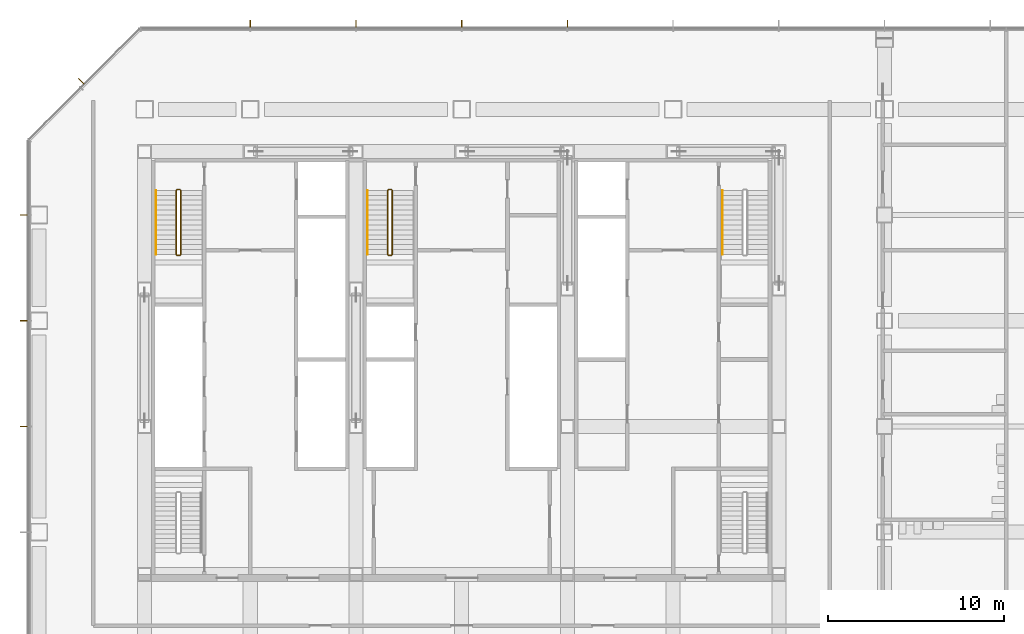
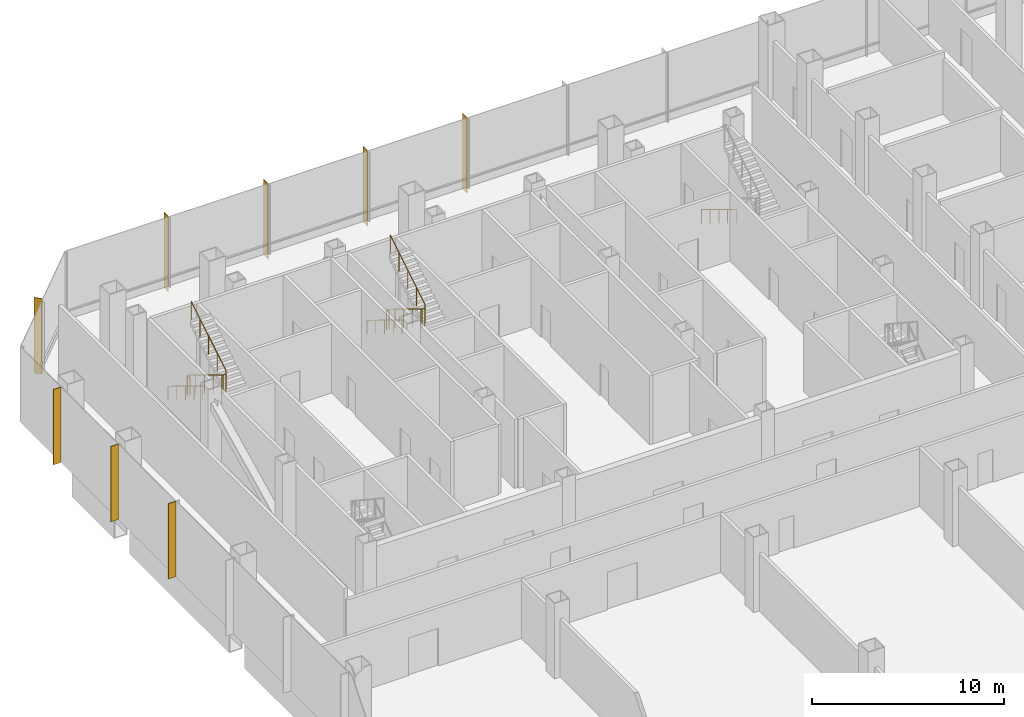
# One storey, part 30 of 34: 8 shading devices, 5 railings.
"""IFC4 building model written with IfcOpenShell, lengths in metres."""

from ifc_helpers import new_model, si_unit, direction, frame, origin, origin_2d, place, context, subcontext, project, spatial, rectangle, circle, extrude, material, material_profile, profile_set, type_object, element, save


model = new_model("IFC4")

# Units and contexts
model_context = context("Model", 3, precision=1e-05, world=origin(), true_north=direction((0.0, 1.0)))
body_context = subcontext(model_context, "Body", "Model", "MODEL_VIEW")
ifc_project = project(units=[si_unit("LENGTHUNIT", "METRE"), si_unit("AREAUNIT", "SQUARE_METRE"), si_unit("VOLUMEUNIT", "CUBIC_METRE"), si_unit("PLANEANGLEUNIT", "RADIAN"), si_unit("MASSUNIT", "GRAM", prefix="KILO")], contexts=[model_context])

# Site, building, storey
site_placement = place(None, origin())
site = spatial("IfcSite", under=ifc_project, at=site_placement, CompositionType="ELEMENT")
building_placement = place(site_placement, origin())
building = spatial("IfcBuilding", under=site, at=building_placement, Name="Sorahane Residences", CompositionType="ELEMENT")
storey_placement = place(building_placement, frame((0.0, 0.0, 20.39990234375)))
storey = spatial("IfcBuildingStorey", under=building, at=storey_placement, Name="L02", CompositionType="ELEMENT", Elevation=20.39990234375)

# Shading devices
ifc_material_1 = material(Name="Terracotta anodised aluminium", Category="masonry")
ifc_material_profile = material_profile(ifc_material_1, rectangle(XDim=0.449951171875, YDim=0.0400390625, at=origin_2d()), Name="Podium vertical fin terracotta anodised aluminium 450x40")
ifc_profile_set = profile_set([ifc_material_profile], Name="Terracotta anodised aluminium")
shading_device_type = type_object("IfcShadingDeviceType", Name="Podium vertical fin terracotta anodised aluminium 450x40", PredefinedType="USERDEFINED", material=ifc_profile_set)
for number, where, z_axis, x_axis, name in (
    (1, (30.0, 52.844970703125, -0.39990234375), (0.0, 0.0, 1.0), (0.0, 1.0, 0.0), "Podium vertical fin L02 N1.6"),
    (2, (24.0, 52.844970703125, -0.39990234375), (0.0, 0.0, 1.0), (0.0, 1.0, 0.0), "Podium vertical fin L02 N1.7"),
    (3, (18.0, 52.844970703125, -0.39990234375), (0.0, 0.0, 1.0), (0.0, 1.0, 0.0), "Podium vertical fin L02 N1.8"),
    (4, (12.0, 52.844970703125, -0.39990234375), (0.0, 0.0, 1.0), (0.0, 1.0, 0.0), "Podium vertical fin L02 N1.9"),
    (5, (2.402587890625, 49.597412109375, -0.39990234375), (0.0, 0.0, 1.0), (-0.707106781187, 0.707106781187, 0.0), "Podium vertical fin L02 NW1.1"),
    (6, (-0.844970703125, 42.0, -0.39990234375), (0.0, 0.0, 1.0), (-1.0, 0.0, 0.0), "Podium vertical fin L02 W1.1"),
    (7, (-0.844970703125, 36.0, -0.39990234375), (0.0, 0.0, 1.0), (-1.0, 0.0, 0.0), "Podium vertical fin L02 W1.2"),
    (8, (-0.844970703125, 30.0, -0.39990234375), (0.0, 0.0, 1.0), (-1.0, 0.0, 0.0), "Podium vertical fin L02 W1.3"),
):
    element("IfcShadingDevice", number, at=place(storey_placement, frame(where, z_axis=z_axis, x_axis=x_axis)), inside=storey, type_object=shading_device_type, Name=name, ObjectType="Vertical fin", PredefinedType="USERDEFINED", context=body_context, shape_type="SweptSolid", body=[
        extrude(rectangle(XDim=0.449951171875, YDim=0.0400390625, at=origin_2d()), origin(), (0.0, 0.0, 1.0), 4.800048828125),
    ])

# Railings
ifc_material_2 = material(Name="Steel Q355B", Category="steel")
railing_type_1 = type_object("IfcRailingType", Name="Stair guard 1200 Steel Q355B", PredefinedType="GUARDRAIL", material=ifc_material_2)
railing_1_placement = place(storey_placement, frame((8.0, 43.449951171875, 0.0)))
element("IfcRailing", 9, at=railing_1_placement, inside=storey, type_object=railing_type_1, Name="L02 S1 stair guard 1", PredefinedType="GUARDRAIL", context=body_context, shape_type="SweptSolid", body=[
    extrude(circle(Radius=0.02392578125, at=origin_2d()), frame((0.0, 0.0, 1.17578125), z_axis=(-1.0, 0.0, 0.0), x_axis=(0.0, -1.0, 0.0)), (0.0, 0.0, 1.0), 0.14990234375),
    extrude(circle(Radius=0.02392578125, at=origin_2d()), frame((-0.14990234375, 0.0, 1.17578125), z_axis=(-0.269583098496, -0.269583098496, 0.924472771914), x_axis=(0.707106781187, -0.707106781187, 0.0)), (0.0, 0.0, 1.0), 0.185546875),
    extrude(circle(Radius=0.02392578125, at=origin_2d()), frame((-0.199951171875, -0.050048828125, 1.34765625), z_axis=(0.0, -0.852850264322, 0.5221555579), x_axis=(1.0, 0.0, 0.0)), (0.0, 0.0, 1.0), 4.267822265625),
    extrude(circle(Radius=0.02392578125, at=origin_2d()), frame((-0.199951171875, -3.68994140625, 3.576171875), z_axis=(0.707106781187, -0.707106781187, 0.0), x_axis=(0.707106781187, 0.707106781187, 0.0)), (0.0, 0.0, 1.0), 0.07080078125),
    extrude(circle(Radius=0.02392578125, at=origin_2d()), frame((-0.14990234375, -3.739990234375, 3.576171875), z_axis=(1.0, 0.0, 0.0), x_axis=(0.0, 1.0, 0.0)), (0.0, 0.0, 1.0), 0.14990234375),
    extrude(circle(Radius=0.02392578125, at=origin_2d()), frame((0.0, -3.739990234375, 3.576171875), z_axis=(0.269911200495, 0.269911200495, 0.924281281696), x_axis=(-0.707106781187, 0.707106781187, 0.0)), (0.0, 0.0, 1.0), 0.185546875),
    extrude(circle(Radius=0.02392578125, at=origin_2d()), frame((0.050048828125, -3.68994140625, 3.74755859375), z_axis=(0.0, 0.852850264322, 0.5221555579), x_axis=(-1.0, 0.0, 0.0)), (0.0, 0.0, 1.0), 4.267822265625),
    extrude(circle(Radius=0.02099609375, at=origin_2d()), origin(), (0.0, 0.0, 1.0), 1.15185546875),
    extrude(circle(Radius=0.02099609375, at=origin_2d()), frame((-0.14990234375, 0.0, 0.0)), (0.0, 0.0, 1.0), 1.15185546875),
    extrude(circle(Radius=0.02099609375, at=origin_2d()), frame((-0.199951171875, -0.050048828125, 0.171630859375)), (0.0, 0.0, 1.0), 1.15185546875),
    extrude(circle(Radius=0.02099609375, at=origin_2d()), frame((-0.199951171875, -0.9599609375, 0.728759765625)), (0.0, 0.0, 1.0), 1.15185546875),
    extrude(circle(Radius=0.02099609375, at=origin_2d()), frame((-0.199951171875, -1.8701171875, 1.285888671875)), (0.0, 0.0, 1.0), 1.15185546875),
    extrude(circle(Radius=0.02099609375, at=origin_2d()), frame((-0.199951171875, -2.780029296875, 1.843017578125)), (0.0, 0.0, 1.0), 1.15185546875),
    extrude(circle(Radius=0.02099609375, at=origin_2d()), frame((-0.199951171875, -3.68994140625, 2.400146484375)), (0.0, 0.0, 1.0), 1.15185546875),
    extrude(circle(Radius=0.02099609375, at=origin_2d()), frame((-0.14990234375, -3.739990234375, 2.400146484375)), (0.0, 0.0, 1.0), 1.15185546875),
    extrude(circle(Radius=0.02099609375, at=origin_2d()), frame((0.0, -3.739990234375, 2.400146484375)), (0.0, 0.0, 1.0), 1.15185546875),
    extrude(circle(Radius=0.02099609375, at=origin_2d()), frame((0.050048828125, -3.68994140625, 2.571533203125)), (0.0, 0.0, 1.0), 1.15185546875),
    extrude(circle(Radius=0.02099609375, at=origin_2d()), frame((0.050048828125, -2.780029296875, 3.128662109375)), (0.0, 0.0, 1.0), 1.15185546875),
    extrude(circle(Radius=0.02099609375, at=origin_2d()), frame((0.050048828125, -1.8701171875, 3.685791015625)), (0.0, 0.0, 1.0), 1.15185546875),
    extrude(circle(Radius=0.02099609375, at=origin_2d()), frame((0.050048828125, -0.9599609375, 4.242919921875)), (0.0, 0.0, 1.0), 1.15185546875),
    extrude(circle(Radius=0.02099609375, at=origin_2d()), frame((0.050048828125, -0.050048828125, 4.800048828125)), (0.0, 0.0, 1.0), 1.15185546875),
])
railing_2_placement = place(storey_placement, frame((20.0, 43.449951171875, 0.0)))
element("IfcRailing", 10, at=railing_2_placement, inside=storey, type_object=railing_type_1, Name="L02 S3 stair guard 1", PredefinedType="GUARDRAIL", context=body_context, shape_type="SweptSolid", body=[
    extrude(circle(Radius=0.02392578125, at=origin_2d()), frame((0.0, 0.0, 1.17578125), z_axis=(-1.0, 0.0, 0.0), x_axis=(0.0, -1.0, 0.0)), (0.0, 0.0, 1.0), 0.14990234375),
    extrude(circle(Radius=0.02392578125, at=origin_2d()), frame((-0.14990234375, 0.0, 1.17578125), z_axis=(-0.269583098496, -0.269583098496, 0.924472771914), x_axis=(0.707106781187, -0.707106781187, 0.0)), (0.0, 0.0, 1.0), 0.185546875),
    extrude(circle(Radius=0.02392578125, at=origin_2d()), frame((-0.199951171875, -0.050048828125, 1.34765625), z_axis=(0.0, -0.852850264322, 0.5221555579), x_axis=(1.0, 0.0, 0.0)), (0.0, 0.0, 1.0), 4.267822265625),
    extrude(circle(Radius=0.02392578125, at=origin_2d()), frame((-0.199951171875, -3.68994140625, 3.576171875), z_axis=(0.707106781187, -0.707106781187, 0.0), x_axis=(0.707106781187, 0.707106781187, 0.0)), (0.0, 0.0, 1.0), 0.07080078125),
    extrude(circle(Radius=0.02392578125, at=origin_2d()), frame((-0.14990234375, -3.739990234375, 3.576171875), z_axis=(1.0, 0.0, 0.0), x_axis=(0.0, 1.0, 0.0)), (0.0, 0.0, 1.0), 0.14990234375),
    extrude(circle(Radius=0.02392578125, at=origin_2d()), frame((0.0, -3.739990234375, 3.576171875), z_axis=(0.269911200495, 0.269911200495, 0.924281281696), x_axis=(-0.707106781187, 0.707106781187, 0.0)), (0.0, 0.0, 1.0), 0.185546875),
    extrude(circle(Radius=0.02392578125, at=origin_2d()), frame((0.050048828125, -3.68994140625, 3.74755859375), z_axis=(0.0, 0.852850264322, 0.5221555579), x_axis=(-1.0, 0.0, 0.0)), (0.0, 0.0, 1.0), 4.267822265625),
    extrude(circle(Radius=0.02099609375, at=origin_2d()), origin(), (0.0, 0.0, 1.0), 1.15185546875),
    extrude(circle(Radius=0.02099609375, at=origin_2d()), frame((-0.14990234375, 0.0, 0.0)), (0.0, 0.0, 1.0), 1.15185546875),
    extrude(circle(Radius=0.02099609375, at=origin_2d()), frame((-0.199951171875, -0.050048828125, 0.171630859375)), (0.0, 0.0, 1.0), 1.15185546875),
    extrude(circle(Radius=0.02099609375, at=origin_2d()), frame((-0.199951171875, -0.9599609375, 0.728759765625)), (0.0, 0.0, 1.0), 1.15185546875),
    extrude(circle(Radius=0.02099609375, at=origin_2d()), frame((-0.199951171875, -1.8701171875, 1.285888671875)), (0.0, 0.0, 1.0), 1.15185546875),
    extrude(circle(Radius=0.02099609375, at=origin_2d()), frame((-0.199951171875, -2.780029296875, 1.843017578125)), (0.0, 0.0, 1.0), 1.15185546875),
    extrude(circle(Radius=0.02099609375, at=origin_2d()), frame((-0.199951171875, -3.68994140625, 2.400146484375)), (0.0, 0.0, 1.0), 1.15185546875),
    extrude(circle(Radius=0.02099609375, at=origin_2d()), frame((-0.14990234375, -3.739990234375, 2.400146484375)), (0.0, 0.0, 1.0), 1.15185546875),
    extrude(circle(Radius=0.02099609375, at=origin_2d()), frame((0.0, -3.739990234375, 2.400146484375)), (0.0, 0.0, 1.0), 1.15185546875),
    extrude(circle(Radius=0.02099609375, at=origin_2d()), frame((0.050048828125, -3.68994140625, 2.571533203125)), (0.0, 0.0, 1.0), 1.15185546875),
    extrude(circle(Radius=0.02099609375, at=origin_2d()), frame((0.050048828125, -2.780029296875, 3.128662109375)), (0.0, 0.0, 1.0), 1.15185546875),
    extrude(circle(Radius=0.02099609375, at=origin_2d()), frame((0.050048828125, -1.8701171875, 3.685791015625)), (0.0, 0.0, 1.0), 1.15185546875),
    extrude(circle(Radius=0.02099609375, at=origin_2d()), frame((0.050048828125, -0.9599609375, 4.242919921875)), (0.0, 0.0, 1.0), 1.15185546875),
    extrude(circle(Radius=0.02099609375, at=origin_2d()), frame((0.050048828125, -0.050048828125, 4.800048828125)), (0.0, 0.0, 1.0), 1.15185546875),
])
ifc_material_3 = material(Name="Steel Q355B", Category="steel")
railing_type_2 = type_object("IfcRailingType", Name="Stair handrail 900 Steel Q355B", PredefinedType="HANDRAIL", material=ifc_material_3)
for number, where, name in (
    (11, (6.64990234375, 43.39990234375, 0.171630859375), "L02 S1 stair handrail 1"),
    (12, (38.800048828125, 43.39990234375, 0.171630859375), "L02 S2 stair handrail 1"),
    (13, (18.64990234375, 43.39990234375, 0.171630859375), "L02 S3 stair handrail 1"),
):
    element("IfcRailing", number, at=place(storey_placement, frame(where)), inside=storey, type_object=railing_type_2, Name=name, PredefinedType="HANDRAIL", context=body_context, shape_type="SweptSolid", body=[
        extrude(circle(Radius=0.02392578125, at=origin_2d()), frame((0.0, 0.0, 0.8759765625), z_axis=(0.0, -0.852850264322, 0.5221555579), x_axis=(1.0, 0.0, 0.0)), (0.0, 0.0, 1.0), 4.267822265625),
        extrude(circle(Radius=0.02099609375, at=origin_2d()), origin(), (0.0, 0.0, 1.0), 0.851806640625),
        extrude(circle(Radius=0.02099609375, at=origin_2d()), frame((0.0, -0.909912109375, 0.55712890625)), (0.0, 0.0, 1.0), 0.851806640625),
        extrude(circle(Radius=0.02099609375, at=origin_2d()), frame((0.0, -1.81982421875, 1.1142578125)), (0.0, 0.0, 1.0), 0.851806640625),
        extrude(circle(Radius=0.02099609375, at=origin_2d()), frame((0.0, -2.72998046875, 1.67138671875)), (0.0, 0.0, 1.0), 0.851806640625),
        extrude(circle(Radius=0.02099609375, at=origin_2d()), frame((0.0, -3.639892578125, 2.228515625)), (0.0, 0.0, 1.0), 0.851806640625),
    ])

save(model, "model.ifc")
